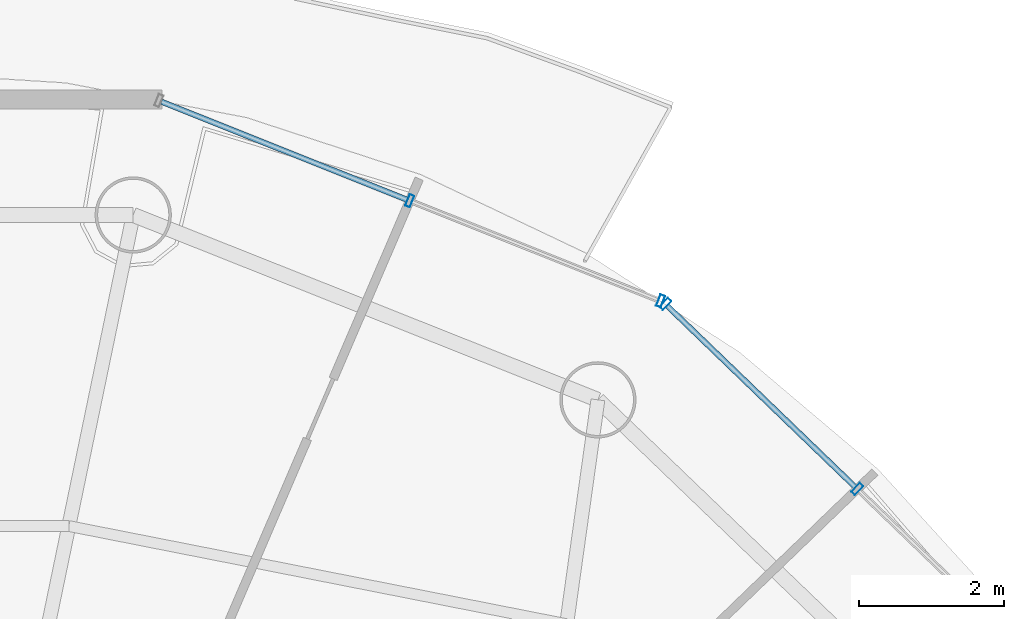
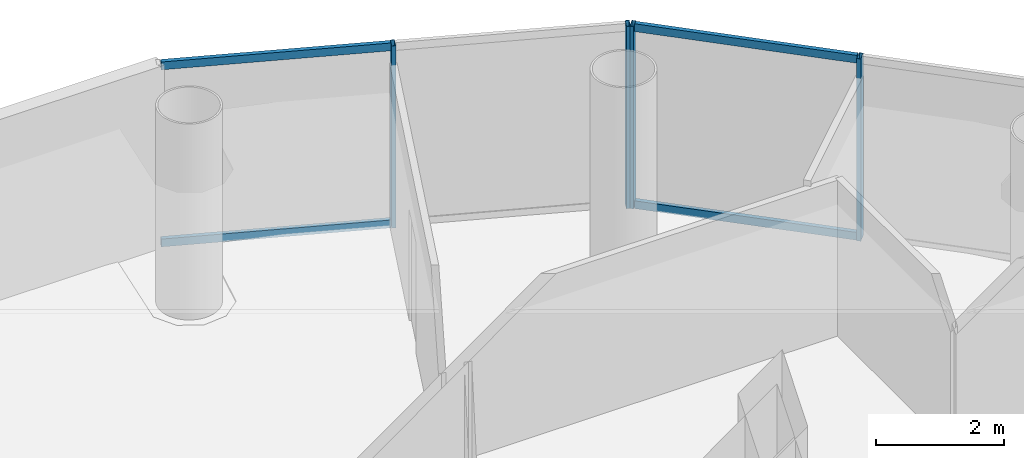
# One storey, part 15 of 23: 8 members, 2 elements without a shape of their own.
"""IFC4 building model written with IfcOpenShell, lengths in metres."""

from ifc_helpers import new_model, si_unit, direction, frame, origin, origin_2d, place, context, subcontext, project, spatial, hollow_rectangle, extrude, source, transform, mapped, material, material_profile, profile_set, type_object, element, aggregate, save


model = new_model("IFC4")

# Units and contexts
model_context = context("Model", 3, precision=1e-05, world=origin(), true_north=direction((-0.2419218956, 0.970295726276)))
body_context = subcontext(model_context, "Body", "Model", "MODEL_VIEW")
ifc_project = project(units=[si_unit("LENGTHUNIT", "METRE"), si_unit("AREAUNIT", "SQUARE_METRE"), si_unit("VOLUMEUNIT", "CUBIC_METRE"), si_unit("PLANEANGLEUNIT", "RADIAN"), si_unit("MASSUNIT", "GRAM", prefix="KILO")], contexts=[model_context])

# Site, building, storey
site_placement = place(None, origin())
site = spatial("IfcSite", under=ifc_project, at=site_placement, CompositionType="ELEMENT")
building_placement = place(site_placement, origin())
building = spatial("IfcBuilding", under=site, at=building_placement, Name="Cobrevalo Terracotta Tower", CompositionType="ELEMENT")
storey_placement = place(building_placement, frame((0.0, 0.0, 255.699951171875)))
storey = spatial("IfcBuildingStorey", under=building, at=storey_placement, Name="L67", CompositionType="ELEMENT", Elevation=255.699951171875)

# Curtain wall, members
ifc_material = material(Name="Anodized aluminium", Category="aluminium")
curtain_wall_type = type_object("IfcCurtainWallType", Name="Upper-tower triple-glazed penthouse curtain wall CW-U3", PredefinedType="NOTDEFINED", material=ifc_material)
curtain_wall_1_placement = place(storey_placement, origin())
curtain_wall_1 = element("IfcCurtainWall", 1, at=curtain_wall_1_placement, inside=storey, type_object=curtain_wall_type, Name="L67 curtain wall CW-L67-S02", PredefinedType="NOTDEFINED")
ifc_material_profile_1 = material_profile(ifc_material, hollow_rectangle(XDim=0.070068359375, YDim=0.169921875, WallThickness=0.00439453125, at=origin_2d()), Name="CWM 70x170")
ifc_profile_set_1 = profile_set([ifc_material_profile_1], Name="Anodized aluminium")
member_type_1 = type_object("IfcMemberType", Name="Upper tower unitised mullion 70x170", PredefinedType="MULLION", material=ifc_profile_set_1)
shared_shape_1 = source(origin(), body_context, "Body", "SweptSolid", [
    extrude(hollow_rectangle(XDim=0.070068359375, YDim=0.169921875, WallThickness=0.00439453125, at=origin_2d()), origin(), (0.0, 0.0, 1.0), 3.489990234375),
])
member_1_placement = place(storey_placement, frame((51.43359375, 39.748046875, 0.0), z_axis=(0.0, 0.0, 1.0), x_axis=(-0.71999418085, 0.69398010025, 0.0)))
member_1 = element("IfcMember", 2, at=member_1_placement, type_object=member_type_1, Name="CW-L67-S02 vertical mullion 02", PredefinedType="MULLION", context=body_context, shape_type="MappedRepresentation", body=[
    mapped(shared_shape_1, transform((0.0, 0.0, 0.0), scale=1.0)),
])
member_2_placement = place(storey_placement, frame((48.790283203125, 42.2958984375, 0.0), z_axis=(0.0, 0.0, 1.0), x_axis=(-0.71999418085, 0.69398010025, 0.0)))
member_2 = element("IfcMember", 3, at=member_2_placement, type_object=member_type_1, Name="CW-L67-S02 vertical mullion 03", PredefinedType="MULLION", context=body_context, shape_type="MappedRepresentation", body=[
    mapped(shared_shape_1, transform((0.0, 0.0, 0.0), scale=1.0)),
])

curtain_wall_2_placement = place(storey_placement, origin())
curtain_wall_2 = element("IfcCurtainWall", 4, at=curtain_wall_2_placement, inside=storey, type_object=curtain_wall_type, Name="L67 curtain wall CW-L67-S03", PredefinedType="NOTDEFINED")
member_3_placement = place(storey_placement, frame((48.724365234375, 42.33837890625, 0.0), z_axis=(0.0, 0.0, 1.0), x_axis=(-0.928718980883, 0.370784377433, 0.0)))
member_3 = element("IfcMember", 5, at=member_3_placement, type_object=member_type_1, Name="CW-L67-S03 vertical mullion 01", PredefinedType="MULLION", context=body_context, shape_type="MappedRepresentation", body=[
    mapped(shared_shape_1, transform((0.0, 0.0, 0.0), scale=1.0)),
])
member_4_placement = place(storey_placement, frame((45.270263671875, 43.71728515625, 0.0), z_axis=(0.0, 0.0, 1.0), x_axis=(-0.928718980883, 0.370784377433, 0.0)))
member_4 = element("IfcMember", 6, at=member_4_placement, type_object=member_type_1, Name="CW-L67-S03 vertical mullion 02", PredefinedType="MULLION", context=body_context, shape_type="MappedRepresentation", body=[
    mapped(shared_shape_1, transform((0.0, 0.0, 0.0), scale=1.0)),
])

# Member
ifc_material_profile_2 = material_profile(ifc_material, hollow_rectangle(XDim=0.074951171875, YDim=0.14990234375, WallThickness=0.00439453125, at=origin_2d()), Name="CWT 75x150")
ifc_profile_set_2 = profile_set([ifc_material_profile_2], Name="Anodized aluminium")
member_type_2 = type_object("IfcMemberType", Name="Tower unitised aluminium transom 75x150", PredefinedType="USERDEFINED", material=ifc_profile_set_2)
shared_shape_2 = source(origin(), body_context, "Body", "SweptSolid", [
    extrude(hollow_rectangle(XDim=0.074951171875, YDim=0.14990234375, WallThickness=0.00439453125, at=origin_2d()), origin(), (0.0, 0.0, 1.0), 3.59130859375),
])
member_5_placement = place(storey_placement, frame((51.40478515625, 39.77587890625, 0.050048828125), z_axis=(-0.720005628362, 0.693968223427, 0.0), x_axis=(-0.693968223427, -0.720005628362, 0.0)))
member_5 = element("IfcMember", 7, at=member_5_placement, type_object=member_type_2, Name="CW-L67-S02 transom B02-T1", ObjectType="TRANSOM", PredefinedType="USERDEFINED", context=body_context, shape_type="MappedRepresentation", body=[
    mapped(shared_shape_2, transform((0.0, 0.0, 0.0), scale=1.0)),
])

member_6_placement = place(storey_placement, frame((51.40478515625, 39.77587890625, 3.43994140625), z_axis=(-0.720005628362, 0.693968223427, 0.0), x_axis=(-0.693968223427, -0.720005628362, 0.0)))
member_6 = element("IfcMember", 8, at=member_6_placement, type_object=member_type_2, Name="CW-L67-S02 transom B02-T2", ObjectType="TRANSOM", PredefinedType="USERDEFINED", context=body_context, shape_type="MappedRepresentation", body=[
    mapped(shared_shape_2, transform((0.0, 0.0, 0.0), scale=1.0)),
])

aggregate(curtain_wall_1, [member_1, member_2, member_5, member_6])

shared_shape_3 = source(origin(), body_context, "Body", "SweptSolid", [
    extrude(hollow_rectangle(XDim=0.074951171875, YDim=0.14990234375, WallThickness=0.00439453125, at=origin_2d()), origin(), (0.0, 0.0, 1.0), 3.63916015625),
])
member_7_placement = place(storey_placement, frame((45.23291015625, 43.732177734375, 0.050048828125), z_axis=(-0.928712471544, 0.370800681227, 0.0), x_axis=(-0.370800681227, -0.928712471544, 0.0)))
member_7 = element("IfcMember", 9, at=member_7_placement, type_object=member_type_2, Name="CW-L67-S03 transom B02-T1", ObjectType="TRANSOM", PredefinedType="USERDEFINED", context=body_context, shape_type="MappedRepresentation", body=[
    mapped(shared_shape_3, transform((0.0, 0.0, 0.0), scale=1.0)),
])

member_8_placement = place(storey_placement, frame((45.23291015625, 43.732177734375, 3.43994140625), z_axis=(-0.928712471544, 0.370800681227, 0.0), x_axis=(-0.370800681227, -0.928712471544, 0.0)))
member_8 = element("IfcMember", 10, at=member_8_placement, type_object=member_type_2, Name="CW-L67-S03 transom B02-T2", ObjectType="TRANSOM", PredefinedType="USERDEFINED", context=body_context, shape_type="MappedRepresentation", body=[
    mapped(shared_shape_3, transform((0.0, 0.0, 0.0), scale=1.0)),
])

aggregate(curtain_wall_2, [member_3, member_4, member_7, member_8])

save(model, "model.ifc")
